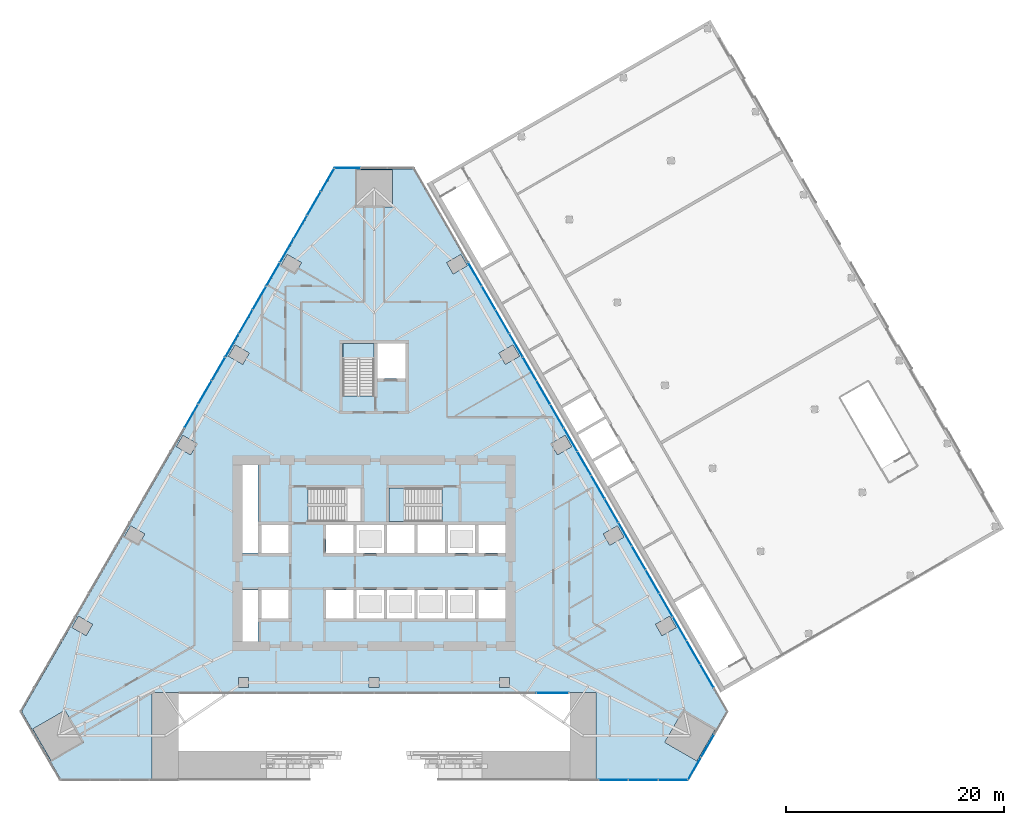
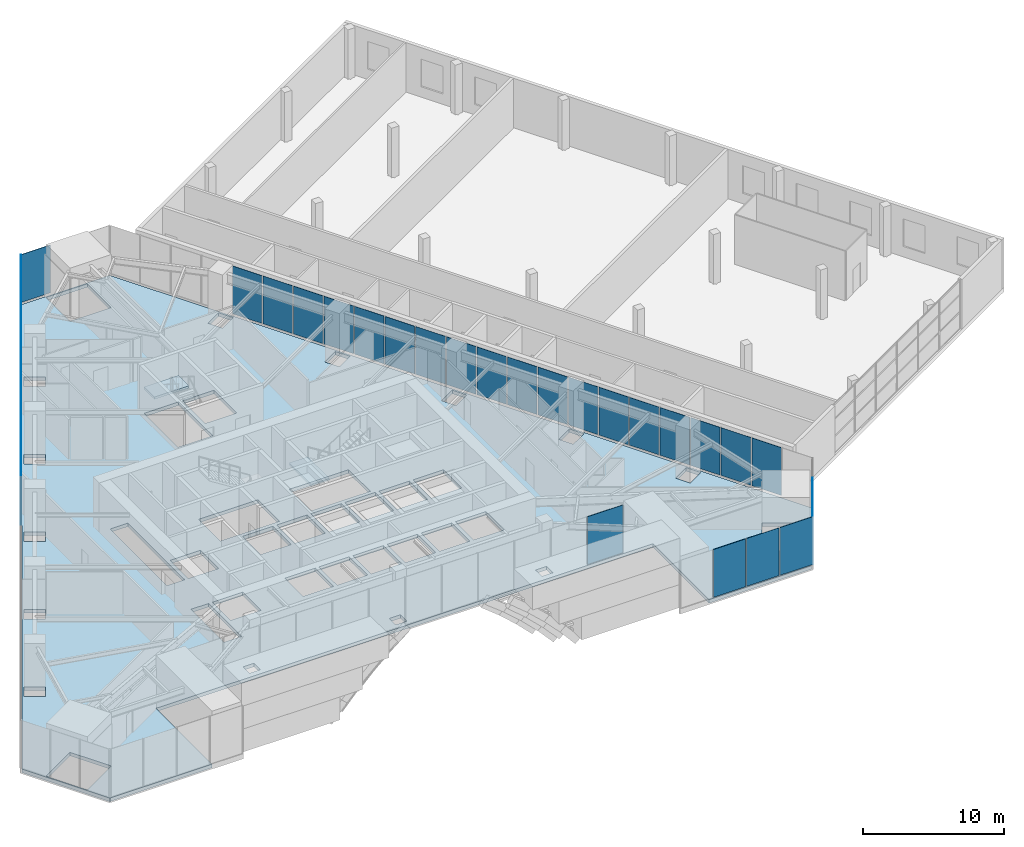
# One storey, part 14 of 23: 36 plates, 3 slabs, 8 elements without a shape of their own.
"""IFC4 building model written with IfcOpenShell, lengths in metres."""

from ifc_helpers import new_model, si_unit, direction, frame, origin, place, context, subcontext, project, spatial, polyline, outline, extrude, material, layer, layer_set, type_object, element, aggregate, save


model = new_model("IFC4")

# Units and contexts
model_context = context("Model", 3, precision=1e-05, world=origin(), true_north=direction((0.0, 1.0)))
body_context = subcontext(model_context, "Body", "Model", "MODEL_VIEW")
ifc_project = project(units=[si_unit("LENGTHUNIT", "METRE"), si_unit("AREAUNIT", "SQUARE_METRE"), si_unit("VOLUMEUNIT", "CUBIC_METRE"), si_unit("PLANEANGLEUNIT", "RADIAN"), si_unit("MASSUNIT", "GRAM", prefix="KILO")], contexts=[model_context])

# Site, building, storey
site_placement = place(None, origin())
site = spatial("IfcSite", under=ifc_project, at=site_placement, CompositionType="ELEMENT")
building_placement = place(site_placement, origin())
building = spatial("IfcBuilding", under=site, at=building_placement, Name="Firuza Gate Tower and Library", CompositionType="ELEMENT")
storey_placement = place(building_placement, frame((0.0, 0.0, 21.800048828125)))
storey = spatial("IfcBuildingStorey", under=building, at=storey_placement, Name="L04", CompositionType="ELEMENT", Elevation=21.800048828125)

# Curtain wall, plate
ifc_material_1 = material(Name="Aluminium 6063-T6", Category="aluminium")
ifc_layer_1 = layer(ifc_material_1, 0.14990234375)
ifc_layer_set_1 = layer_set([ifc_layer_1], Name="Stick curtain wall, gate lobby")
curtain_wall_type_1 = type_object("IfcCurtainWallType", Name="Stick curtain wall, gate lobby", PredefinedType="NOTDEFINED", material=ifc_layer_set_1)
placement_1 = place(storey_placement, origin())
curtain_wall_1 = element("IfcCurtainWall", 1, at=placement_1, inside=storey, type_object=curtain_wall_type_1, Name="CW7 L04 gate lobby", PredefinedType="NOTDEFINED")
ifc_material_2 = material(Name="Fritted glass", Category="glass")
ifc_layer_2 = layer(ifc_material_2, 0.030029296875)
ifc_layer_set_2 = layer_set([ifc_layer_2], Name="Clear glass unit, podium")
plate_type = type_object("IfcPlateType", Name="Clear glass unit, podium", PredefinedType="CURTAIN_PANEL", material=ifc_layer_set_2)
plate_1_placement = place(storey_placement, frame((89.9775390625, 62.12548828125, 0.14990234375), z_axis=(0.0, -1.0, 0.0), x_axis=(1.0, 0.0, 0.0)))
plate_1 = element("IfcPlate", 2, at=plate_1_placement, type_object=plate_type, Name="Glass unit", PredefinedType="CURTAIN_PANEL", context=body_context, shape_type="SweptSolid", body=[
    extrude(outline(polyline([(0.0, 0.0), (2.907470703125, 0.0), (2.907470703125, 4.150146484375), (0.0, 4.150146484375), (0.0, 0.0)])), origin(), (0.0, 0.0, -1.0), 0.030029296875),
])
aggregate(curtain_wall_1, [plate_1])

# Curtain wall, plates
ifc_material_3 = material(Name="Aluminium 6063-T6", Category="aluminium")
ifc_layer_3 = layer(ifc_material_3, 0.14990234375)
ifc_layer_set_3 = layer_set([ifc_layer_3], Name="Stick curtain wall, podium")
curtain_wall_type_2 = type_object("IfcCurtainWallType", Name="Stick curtain wall, podium", PredefinedType="NOTDEFINED", material=ifc_layer_set_3)
curtain_wall_2 = element("IfcCurtainWall", 3, at=placement_1, inside=storey, type_object=curtain_wall_type_2, Name="CW5 L04 S", PredefinedType="NOTDEFINED")
plate_2_placement = place(storey_placement, frame((95.694580078125, 54.12548828125, 0.14990234375), z_axis=(0.0, -1.0, 0.0), x_axis=(1.0, 0.0, 0.0)))
plate_2 = element("IfcPlate", 4, at=plate_2_placement, type_object=plate_type, Name="Glass unit", PredefinedType="CURTAIN_PANEL", context=body_context, shape_type="SweptSolid", body=[
    extrude(outline(polyline([(0.0, 0.0), (2.649658203125, 0.0), (2.649658203125, 4.150146484375), (0.0, 4.150146484375), (0.0, 0.0)])), origin(), (0.0, 0.0, -1.0), 0.030029296875),
])
plate_3_placement = place(storey_placement, frame((98.424072265625, 54.12548828125, 0.14990234375), z_axis=(0.0, -1.0, 0.0), x_axis=(1.0, 0.0, 0.0)))
plate_3 = element("IfcPlate", 5, at=plate_3_placement, type_object=plate_type, Name="Glass unit", PredefinedType="CURTAIN_PANEL", context=body_context, shape_type="SweptSolid", body=[
    extrude(outline(polyline([(0.0, 0.0), (2.649658203125, 0.0), (2.649658203125, 4.150146484375), (0.0, 4.150146484375), (0.0, 0.0)])), origin(), (0.0, 0.0, -1.0), 0.030029296875),
])
plate_4_placement = place(storey_placement, frame((101.15380859375, 54.12548828125, 0.14990234375), z_axis=(0.0, -1.0, 0.0), x_axis=(1.0, 0.0, 0.0)))
plate_4 = element("IfcPlate", 6, at=plate_4_placement, type_object=plate_type, Name="Glass unit", PredefinedType="CURTAIN_PANEL", context=body_context, shape_type="SweptSolid", body=[
    extrude(outline(polyline([(0.0, 0.0), (2.6494140625, 0.0), (2.6494140625, 4.150146484375), (0.0, 4.150146484375), (0.0, 0.0)])), origin(), (0.0, 0.0, -1.0), 0.030029296875),
])
aggregate(curtain_wall_2, [plate_2, plate_3, plate_4])

curtain_wall_3 = element("IfcCurtainWall", 7, at=placement_1, inside=storey, type_object=curtain_wall_type_2, Name="CW5 L04 SE", PredefinedType="NOTDEFINED")
plate_5_placement = place(storey_placement, frame((103.876220703125, 54.16748046875, 0.14990234375), z_axis=(0.866002109674, -0.500040344412, 0.0), x_axis=(0.500040344412, 0.866002109674, 0.0)))
plate_5 = element("IfcPlate", 8, at=plate_5_placement, type_object=plate_type, Name="Glass unit", PredefinedType="CURTAIN_PANEL", context=body_context, shape_type="SweptSolid", body=[
    extrude(outline(polyline([(0.0, 0.0), (2.348931561223719, 0.0), (2.348931561223719, 4.150146484375), (0.0, 4.150146484375), (0.0, 0.0)])), origin(), (0.0, 0.0, -1.0), 0.030029296875),
])
plate_6_placement = place(storey_placement, frame((105.0908203125, 56.27099609375, 0.14990234375), z_axis=(0.866047116916, -0.499962389866, 0.0), x_axis=(0.499962389866, 0.866047116916, 0.0)))
plate_6 = element("IfcPlate", 9, at=plate_6_placement, type_object=plate_type, Name="Glass unit", PredefinedType="CURTAIN_PANEL", context=body_context, shape_type="SweptSolid", body=[
    extrude(outline(polyline([(0.0, 0.0), (2.3488094905771977, 0.0), (2.3488094905771977, 4.150146484375001), (0.0, 4.150146484375001), (0.0, 0.0)])), origin(), (0.0, 0.0, -1.0), 0.030029296875),
])
aggregate(curtain_wall_3, [plate_5, plate_6])

curtain_wall_4 = element("IfcCurtainWall", 10, at=placement_1, inside=storey, type_object=curtain_wall_type_2, Name="CW5 L04 E", PredefinedType="NOTDEFINED")
plate_7_placement = place(storey_placement, frame((106.2255859375, 62.6650390625, 0.14990234375), z_axis=(0.866013120021, 0.500021275498, 0.0), x_axis=(-0.500021275498, 0.866013120021, 0.0)))
plate_7 = element("IfcPlate", 11, at=plate_7_placement, type_object=plate_type, Name="Glass unit", PredefinedType="CURTAIN_PANEL", context=body_context, shape_type="SweptSolid", body=[
    extrude(outline(polyline([(0.0, 0.0), (2.428119337352694, 0.0), (2.428119337352694, 4.150146484374999), (0.0, 4.150146484374999), (0.0, 0.0)])), origin(), (0.0, 0.0, -1.0), 0.030029296875),
])
plate_8_placement = place(storey_placement, frame((104.971435546875, 64.837158203125, 0.14990234375), z_axis=(0.866013120021, 0.500021275498, 0.0), x_axis=(-0.500021275498, 0.866013120021, 0.0)))
plate_8 = element("IfcPlate", 12, at=plate_8_placement, type_object=plate_type, Name="Glass unit", PredefinedType="CURTAIN_PANEL", context=body_context, shape_type="SweptSolid", body=[
    extrude(outline(polyline([(0.0, 0.0), (2.428119337352694, 0.0), (2.428119337352694, 4.150146484374999), (0.0, 4.150146484374999), (0.0, 0.0)])), origin(), (0.0, 0.0, -1.0), 0.030029296875),
])
plate_9_placement = place(storey_placement, frame((103.717529296875, 67.00927734375, 0.14990234375), z_axis=(0.866013120021, 0.500021275498, 0.0), x_axis=(-0.500021275498, 0.866013120021, 0.0)))
plate_9 = element("IfcPlate", 13, at=plate_9_placement, type_object=plate_type, Name="Glass unit", PredefinedType="CURTAIN_PANEL", context=body_context, shape_type="SweptSolid", body=[
    extrude(outline(polyline([(0.0, 0.0), (2.428119337352694, 0.0), (2.428119337352694, 4.150146484374999), (0.0, 4.150146484374999), (0.0, 0.0)])), origin(), (0.0, 0.0, -1.0), 0.030029296875),
])
plate_10_placement = place(storey_placement, frame((102.46337890625, 69.18115234375, 0.14990234375), z_axis=(0.86603825568, 0.499977739203, 0.0), x_axis=(-0.499977739203, 0.86603825568, 0.0)))
plate_10 = element("IfcPlate", 14, at=plate_10_placement, type_object=plate_type, Name="Glass unit", PredefinedType="CURTAIN_PANEL", context=body_context, shape_type="SweptSolid", body=[
    extrude(outline(polyline([(0.0, 0.0), (2.428330769405526, 0.0), (2.428330769405526, 4.150146484375), (0.0, 4.150146484375), (0.0, 0.0)])), origin(), (0.0, 0.0, -1.0), 0.030029296875),
])
plate_11_placement = place(storey_placement, frame((101.209228515625, 71.353271484375, 0.14990234375), z_axis=(0.866056658381, 0.499945861543, 0.0), x_axis=(-0.499945861543, 0.866056658381, 0.0)))
plate_11 = element("IfcPlate", 15, at=plate_11_placement, type_object=plate_type, Name="Glass unit", PredefinedType="CURTAIN_PANEL", context=body_context, shape_type="SweptSolid", body=[
    extrude(outline(polyline([(0.0, 0.0), (2.4279972710515545, 0.0), (2.4279972710515545, 4.150146484375), (0.0, 4.150146484375), (0.0, 0.0)])), origin(), (0.0, 0.0, -1.0), 0.030029296875),
])
plate_12_placement = place(storey_placement, frame((99.955322265625, 73.525390625, 0.14990234375), z_axis=(0.866013120021, 0.500021275498, 0.0), x_axis=(-0.500021275498, 0.866013120021, 0.0)))
plate_12 = element("IfcPlate", 16, at=plate_12_placement, type_object=plate_type, Name="Glass unit", PredefinedType="CURTAIN_PANEL", context=body_context, shape_type="SweptSolid", body=[
    extrude(outline(polyline([(0.0, 0.0), (2.428119337352694, 0.0), (2.428119337352694, 4.150146484374999), (0.0, 4.150146484374999), (0.0, 0.0)])), origin(), (0.0, 0.0, -1.0), 0.030029296875),
])
plate_13_placement = place(storey_placement, frame((98.701171875, 75.697509765625, 0.14990234375), z_axis=(0.866013120021, 0.500021275498, 0.0), x_axis=(-0.500021275498, 0.866013120021, 0.0)))
plate_13 = element("IfcPlate", 17, at=plate_13_placement, type_object=plate_type, Name="Glass unit", PredefinedType="CURTAIN_PANEL", context=body_context, shape_type="SweptSolid", body=[
    extrude(outline(polyline([(0.0, 0.0), (2.428119337352694, 0.0), (2.428119337352694, 4.150146484374999), (0.0, 4.150146484374999), (0.0, 0.0)])), origin(), (0.0, 0.0, -1.0), 0.030029296875),
])
plate_14_placement = place(storey_placement, frame((97.447021484375, 77.86962890625, 0.14990234375), z_axis=(0.866056658381, 0.499945861543, 0.0), x_axis=(-0.499945861543, 0.866056658381, 0.0)))
plate_14 = element("IfcPlate", 18, at=plate_14_placement, type_object=plate_type, Name="Glass unit", PredefinedType="CURTAIN_PANEL", context=body_context, shape_type="SweptSolid", body=[
    extrude(outline(polyline([(0.0, 0.0), (2.4279972710515545, 0.0), (2.4279972710515545, 4.150146484375), (0.0, 4.150146484375), (0.0, 0.0)])), origin(), (0.0, 0.0, -1.0), 0.030029296875),
])
plate_15_placement = place(storey_placement, frame((96.193115234375, 80.041748046875, 0.14990234375), z_axis=(0.866013120021, 0.500021275498, 0.0), x_axis=(-0.500021275498, 0.866013120021, 0.0)))
plate_15 = element("IfcPlate", 19, at=plate_15_placement, type_object=plate_type, Name="Glass unit", PredefinedType="CURTAIN_PANEL", context=body_context, shape_type="SweptSolid", body=[
    extrude(outline(polyline([(0.0, 0.0), (2.428119337352694, 0.0), (2.428119337352694, 4.150146484374999), (0.0, 4.150146484374999), (0.0, 0.0)])), origin(), (0.0, 0.0, -1.0), 0.030029296875),
])
plate_16_placement = place(storey_placement, frame((94.93896484375, 82.2138671875, 0.14990234375), z_axis=(0.866013120021, 0.500021275498, 0.0), x_axis=(-0.500021275498, 0.866013120021, 0.0)))
plate_16 = element("IfcPlate", 20, at=plate_16_placement, type_object=plate_type, Name="Glass unit", PredefinedType="CURTAIN_PANEL", context=body_context, shape_type="SweptSolid", body=[
    extrude(outline(polyline([(0.0, 0.0), (2.428119337352694, 0.0), (2.428119337352694, 4.150146484374999), (0.0, 4.150146484374999), (0.0, 0.0)])), origin(), (0.0, 0.0, -1.0), 0.030029296875),
])
plate_17_placement = place(storey_placement, frame((93.68505859375, 84.385986328125, 0.14990234375), z_axis=(0.866013120021, 0.500021275498, 0.0), x_axis=(-0.500021275498, 0.866013120021, 0.0)))
plate_17 = element("IfcPlate", 21, at=plate_17_placement, type_object=plate_type, Name="Glass unit", PredefinedType="CURTAIN_PANEL", context=body_context, shape_type="SweptSolid", body=[
    extrude(outline(polyline([(0.0, 0.0), (2.428119337352694, 0.0), (2.428119337352694, 4.150146484374999), (0.0, 4.150146484374999), (0.0, 0.0)])), origin(), (0.0, 0.0, -1.0), 0.030029296875),
])
plate_18_placement = place(storey_placement, frame((92.430908203125, 86.55810546875, 0.14990234375), z_axis=(0.866013120021, 0.500021275498, 0.0), x_axis=(-0.500021275498, 0.866013120021, 0.0)))
plate_18 = element("IfcPlate", 22, at=plate_18_placement, type_object=plate_type, Name="Glass unit", PredefinedType="CURTAIN_PANEL", context=body_context, shape_type="SweptSolid", body=[
    extrude(outline(polyline([(0.0, 0.0), (2.428119337352694, 0.0), (2.428119337352694, 4.150146484374999), (0.0, 4.150146484374999), (0.0, 0.0)])), origin(), (0.0, 0.0, -1.0), 0.030029296875),
])
plate_19_placement = place(storey_placement, frame((91.1767578125, 88.72998046875, 0.14990234375), z_axis=(0.866081787721, 0.499902327438, 0.0), x_axis=(-0.499902327438, 0.866081787721, 0.0)))
plate_19 = element("IfcPlate", 23, at=plate_19_placement, type_object=plate_type, Name="Glass unit", PredefinedType="CURTAIN_PANEL", context=body_context, shape_type="SweptSolid", body=[
    extrude(outline(polyline([(0.0, 0.0), (2.428208713733097, 0.0), (2.428208713733097, 4.150146484375), (0.0, 4.150146484375), (0.0, 0.0)])), origin(), (0.0, 0.0, -1.0), 0.030029296875),
])
plate_20_placement = place(storey_placement, frame((89.9228515625, 90.902099609375, 0.14990234375), z_axis=(0.866013120021, 0.500021275498, 0.0), x_axis=(-0.500021275498, 0.866013120021, 0.0)))
plate_20 = element("IfcPlate", 24, at=plate_20_placement, type_object=plate_type, Name="Glass unit", PredefinedType="CURTAIN_PANEL", context=body_context, shape_type="SweptSolid", body=[
    extrude(outline(polyline([(0.0, 0.0), (2.428119337352694, 0.0), (2.428119337352694, 4.150146484374999), (0.0, 4.150146484374999), (0.0, 0.0)])), origin(), (0.0, 0.0, -1.0), 0.030029296875),
])
plate_21_placement = place(storey_placement, frame((88.668701171875, 93.07421875, 0.14990234375), z_axis=(0.866013120021, 0.500021275498, 0.0), x_axis=(-0.500021275498, 0.866013120021, 0.0)))
plate_21 = element("IfcPlate", 25, at=plate_21_placement, type_object=plate_type, Name="Glass unit", PredefinedType="CURTAIN_PANEL", context=body_context, shape_type="SweptSolid", body=[
    extrude(outline(polyline([(0.0, 0.0), (2.428119337352694, 0.0), (2.428119337352694, 4.150146484374999), (0.0, 4.150146484374999), (0.0, 0.0)])), origin(), (0.0, 0.0, -1.0), 0.030029296875),
])
plate_22_placement = place(storey_placement, frame((87.414794921875, 95.246337890625, 0.14990234375), z_axis=(0.866013120021, 0.500021275498, 0.0), x_axis=(-0.500021275498, 0.866013120021, 0.0)))
plate_22 = element("IfcPlate", 26, at=plate_22_placement, type_object=plate_type, Name="Glass unit", PredefinedType="CURTAIN_PANEL", context=body_context, shape_type="SweptSolid", body=[
    extrude(outline(polyline([(0.0, 0.0), (2.428119337352694, 0.0), (2.428119337352694, 4.150146484374999), (0.0, 4.150146484374999), (0.0, 0.0)])), origin(), (0.0, 0.0, -1.0), 0.030029296875),
])
plate_23_placement = place(storey_placement, frame((86.16064453125, 97.41845703125, 0.14990234375), z_axis=(0.866013120021, 0.500021275498, 0.0), x_axis=(-0.500021275498, 0.866013120021, 0.0)))
plate_23 = element("IfcPlate", 27, at=plate_23_placement, type_object=plate_type, Name="Glass unit", PredefinedType="CURTAIN_PANEL", context=body_context, shape_type="SweptSolid", body=[
    extrude(outline(polyline([(0.0, 0.0), (2.428119337352694, 0.0), (2.428119337352694, 4.150146484374999), (0.0, 4.150146484374999), (0.0, 0.0)])), origin(), (0.0, 0.0, -1.0), 0.030029296875),
])
plate_24_placement = place(storey_placement, frame((84.906494140625, 99.590576171875, 0.14990234375), z_axis=(0.866056658381, 0.499945861543, 0.0), x_axis=(-0.499945861543, 0.866056658381, 0.0)))
plate_24 = element("IfcPlate", 28, at=plate_24_placement, type_object=plate_type, Name="Glass unit", PredefinedType="CURTAIN_PANEL", context=body_context, shape_type="SweptSolid", body=[
    extrude(outline(polyline([(0.0, 0.0), (2.4279972710515545, 0.0), (2.4279972710515545, 4.150146484375), (0.0, 4.150146484375), (0.0, 0.0)])), origin(), (0.0, 0.0, -1.0), 0.030029296875),
])
aggregate(curtain_wall_4, [plate_7, plate_8, plate_9, plate_10, plate_11, plate_12, plate_13, plate_14, plate_15, plate_16, plate_17, plate_18, plate_19, plate_20, plate_21, plate_22, plate_23, plate_24])

# Curtain wall, plate
curtain_wall_5 = element("IfcCurtainWall", 29, at=placement_1, inside=storey, type_object=curtain_wall_type_2, Name="CW5 L04 N", PredefinedType="NOTDEFINED")
plate_25_placement = place(storey_placement, frame((73.74560546875, 110.423828125, 0.14990234375), z_axis=(0.0, 1.0, 0.0), x_axis=(-1.0, 0.0, 0.0)))
plate_25 = element("IfcPlate", 30, at=plate_25_placement, type_object=plate_type, Name="Glass unit", PredefinedType="CURTAIN_PANEL", context=body_context, shape_type="SweptSolid", body=[
    extrude(outline(polyline([(0.0, 0.0), (2.348876953125, 0.0), (2.348876953125, 4.150146484375), (0.0, 4.150146484375), (0.0, 0.0)])), origin(), (0.0, 0.0, -1.0), 0.030029296875),
])
aggregate(curtain_wall_5, [plate_25])

# Curtain wall, plates
curtain_wall_6 = element("IfcCurtainWall", 31, at=placement_1, inside=storey, type_object=curtain_wall_type_2, Name="CW5 L04 W", PredefinedType="NOTDEFINED")
plate_26_placement = place(storey_placement, frame((71.32373046875, 110.381591796875, 0.14990234375), z_axis=(-0.866013120021, 0.500021275498, 0.0), x_axis=(-0.500021275498, -0.866013120021, 0.0)))
plate_26 = element("IfcPlate", 32, at=plate_26_placement, type_object=plate_type, Name="Glass unit", PredefinedType="CURTAIN_PANEL", context=body_context, shape_type="SweptSolid", body=[
    extrude(outline(polyline([(0.0, 0.0), (2.428119337352694, 0.0), (2.428119337352694, 4.150146484374999), (0.0, 4.150146484374999), (0.0, 0.0)])), origin(), (0.0, 0.0, -1.0), 0.030029296875),
])
plate_27_placement = place(storey_placement, frame((70.069580078125, 108.209716796875, 0.14990234375), z_axis=(-0.866081787721, 0.499902327438, 0.0), x_axis=(-0.499902327438, -0.866081787721, 0.0)))
plate_27 = element("IfcPlate", 33, at=plate_27_placement, type_object=plate_type, Name="Glass unit", PredefinedType="CURTAIN_PANEL", context=body_context, shape_type="SweptSolid", body=[
    extrude(outline(polyline([(0.0, 0.0), (2.428208713733097, 0.0), (2.428208713733097, 4.150146484375), (0.0, 4.150146484375), (0.0, 0.0)])), origin(), (0.0, 0.0, -1.0), 0.030029296875),
])
plate_28_placement = place(storey_placement, frame((68.815673828125, 106.03759765625, 0.14990234375), z_axis=(-0.866013120021, 0.500021275498, 0.0), x_axis=(-0.500021275498, -0.866013120021, 0.0)))
plate_28 = element("IfcPlate", 34, at=plate_28_placement, type_object=plate_type, Name="Glass unit", PredefinedType="CURTAIN_PANEL", context=body_context, shape_type="SweptSolid", body=[
    extrude(outline(polyline([(0.0, 0.0), (2.428119337352694, 0.0), (2.428119337352694, 4.150146484374999), (0.0, 4.150146484374999), (0.0, 0.0)])), origin(), (0.0, 0.0, -1.0), 0.030029296875),
])
plate_29_placement = place(storey_placement, frame((67.5615234375, 103.865478515625, 0.14990234375), z_axis=(-0.866013120021, 0.500021275498, 0.0), x_axis=(-0.500021275498, -0.866013120021, 0.0)))
plate_29 = element("IfcPlate", 35, at=plate_29_placement, type_object=plate_type, Name="Glass unit", PredefinedType="CURTAIN_PANEL", context=body_context, shape_type="SweptSolid", body=[
    extrude(outline(polyline([(0.0, 0.0), (2.428119337352694, 0.0), (2.428119337352694, 4.150146484374999), (0.0, 4.150146484374999), (0.0, 0.0)])), origin(), (0.0, 0.0, -1.0), 0.030029296875),
])
plate_30_placement = place(storey_placement, frame((66.307373046875, 101.693359375, 0.14990234375), z_axis=(-0.866056658381, 0.499945861543, 0.0), x_axis=(-0.499945861543, -0.866056658381, 0.0)))
plate_30 = element("IfcPlate", 36, at=plate_30_placement, type_object=plate_type, Name="Glass unit", PredefinedType="CURTAIN_PANEL", context=body_context, shape_type="SweptSolid", body=[
    extrude(outline(polyline([(0.0, 0.0), (2.4279972710515545, 0.0), (2.4279972710515545, 4.150146484375), (0.0, 4.150146484375), (0.0, 0.0)])), origin(), (0.0, 0.0, -1.0), 0.030029296875),
])
plate_31_placement = place(storey_placement, frame((65.053466796875, 99.521240234375, 0.14990234375), z_axis=(-0.866013120021, 0.500021275498, 0.0), x_axis=(-0.500021275498, -0.866013120021, 0.0)))
plate_31 = element("IfcPlate", 37, at=plate_31_placement, type_object=plate_type, Name="Glass unit", PredefinedType="CURTAIN_PANEL", context=body_context, shape_type="SweptSolid", body=[
    extrude(outline(polyline([(0.0, 0.0), (2.428119337352694, 0.0), (2.428119337352694, 4.150146484374999), (0.0, 4.150146484374999), (0.0, 0.0)])), origin(), (0.0, 0.0, -1.0), 0.030029296875),
])
plate_32_placement = place(storey_placement, frame((63.79931640625, 97.34912109375, 0.14990234375), z_axis=(-0.866013120021, 0.500021275498, 0.0), x_axis=(-0.500021275498, -0.866013120021, 0.0)))
plate_32 = element("IfcPlate", 38, at=plate_32_placement, type_object=plate_type, Name="Glass unit", PredefinedType="CURTAIN_PANEL", context=body_context, shape_type="SweptSolid", body=[
    extrude(outline(polyline([(0.0, 0.0), (2.428119337352694, 0.0), (2.428119337352694, 4.150146484374999), (0.0, 4.150146484374999), (0.0, 0.0)])), origin(), (0.0, 0.0, -1.0), 0.030029296875),
])
plate_33_placement = place(storey_placement, frame((62.54541015625, 95.177001953125, 0.14990234375), z_axis=(-0.866013120021, 0.500021275498, 0.0), x_axis=(-0.500021275498, -0.866013120021, 0.0)))
plate_33 = element("IfcPlate", 39, at=plate_33_placement, type_object=plate_type, Name="Glass unit", PredefinedType="CURTAIN_PANEL", context=body_context, shape_type="SweptSolid", body=[
    extrude(outline(polyline([(0.0, 0.0), (2.428119337352694, 0.0), (2.428119337352694, 4.150146484374999), (0.0, 4.150146484374999), (0.0, 0.0)])), origin(), (0.0, 0.0, -1.0), 0.030029296875),
])
plate_34_placement = place(storey_placement, frame((61.291259765625, 93.0048828125, 0.14990234375), z_axis=(-0.866013120021, 0.500021275498, 0.0), x_axis=(-0.500021275498, -0.866013120021, 0.0)))
plate_34 = element("IfcPlate", 40, at=plate_34_placement, type_object=plate_type, Name="Glass unit", PredefinedType="CURTAIN_PANEL", context=body_context, shape_type="SweptSolid", body=[
    extrude(outline(polyline([(0.0, 0.0), (2.428119337352694, 0.0), (2.428119337352694, 4.150146484374999), (0.0, 4.150146484374999), (0.0, 0.0)])), origin(), (0.0, 0.0, -1.0), 0.030029296875),
])
plate_35_placement = place(storey_placement, frame((60.037109375, 90.8330078125, 0.14990234375), z_axis=(-0.866081787721, 0.499902327438, 0.0), x_axis=(-0.499902327438, -0.866081787721, 0.0)))
plate_35 = element("IfcPlate", 41, at=plate_35_placement, type_object=plate_type, Name="Glass unit", PredefinedType="CURTAIN_PANEL", context=body_context, shape_type="SweptSolid", body=[
    extrude(outline(polyline([(0.0, 0.0), (2.428208713733097, 0.0), (2.428208713733097, 4.150146484375), (0.0, 4.150146484375), (0.0, 0.0)])), origin(), (0.0, 0.0, -1.0), 0.030029296875),
])
plate_36_placement = place(storey_placement, frame((58.783203125, 88.660888671875, 0.14990234375), z_axis=(-0.866013120021, 0.500021275498, 0.0), x_axis=(-0.500021275498, -0.866013120021, 0.0)))
plate_36 = element("IfcPlate", 42, at=plate_36_placement, type_object=plate_type, Name="Glass unit", PredefinedType="CURTAIN_PANEL", context=body_context, shape_type="SweptSolid", body=[
    extrude(outline(polyline([(0.0, 0.0), (2.428119337352694, 0.0), (2.428119337352694, 4.150146484374999), (0.0, 4.150146484374999), (0.0, 0.0)])), origin(), (0.0, 0.0, -1.0), 0.030029296875),
])
aggregate(curtain_wall_6, [plate_26, plate_27, plate_28, plate_29, plate_30, plate_31, plate_32, plate_33, plate_34, plate_35, plate_36])

# Slab
ifc_material_4 = material(Name="Concrete C40/50", Category="concrete")
ifc_layer_4 = layer(ifc_material_4, 0.300048828125)
ifc_layer_set_4 = layer_set([ifc_layer_4], Name="Composite floor slab 300 C40/50")
slab_type_1 = type_object("IfcSlabType", Name="Composite floor slab 300 C40/50", PredefinedType="FLOOR", material=ifc_layer_set_4)
slab_1_placement = place(storey_placement, frame((0.0, 0.0, -0.300048828125)))
element("IfcSlab", 43, at=slab_1_placement, inside=storey, type_object=slab_type_1, Name="Floor slab L04", PredefinedType="FLOOR", context=body_context, shape_type="SweptSolid", body=[
    extrude(outline(polyline([(46.199951171875, 54.21533203125), (54.60009765625, 54.21533203125), (54.60009765625, 62.21533203125), (57.0, 62.21533203125), (93.0, 62.21533203125), (95.39990234375, 62.21533203125), (95.39990234375, 54.21533203125), (103.800048828125, 54.21533203125), (107.39990234375, 60.45068359375), (78.60009765625, 110.333740234375), (71.39990234375, 110.333740234375), (42.60009765625, 60.45068359375), (46.199951171875, 54.21533203125)]), holes=[polyline([(43.63671875, 58.855224609375), (46.5810546875, 60.555419921875), (48.281005859375, 57.61083984375), (45.336669921875, 55.910888671875), (43.63671875, 58.855224609375)]), polyline([(74.550048828125, 62.665283203125), (74.550048828125, 63.5654296875), (75.449951171875, 63.5654296875), (75.449951171875, 62.665283203125), (74.550048828125, 62.665283203125)]), polyline([(62.550048828125, 62.665283203125), (62.550048828125, 63.5654296875), (63.449951171875, 63.5654296875), (63.449951171875, 62.665283203125), (62.550048828125, 62.665283203125)]), polyline([(47.829833984375, 69.209228515625), (49.12890625, 68.459228515625), (48.529052734375, 67.419921875), (47.22998046875, 68.169921875), (47.829833984375, 69.209228515625)]), polyline([(64.35009765625, 66.89990234375), (62.89990234375, 66.89990234375), (62.89990234375, 71.60009765625), (64.35009765625, 71.60009765625), (64.35009765625, 66.89990234375)]), polyline([(67.14990234375, 69.0), (64.64990234375, 69.0), (64.64990234375, 71.60009765625), (67.14990234375, 71.60009765625), (67.14990234375, 69.0)]), polyline([(70.60009765625, 69.0), (70.60009765625, 71.60009765625), (73.10009765625, 71.60009765625), (73.10009765625, 69.0), (70.60009765625, 69.0)]), polyline([(73.39990234375, 69.0), (73.39990234375, 71.60009765625), (75.89990234375, 71.60009765625), (75.89990234375, 69.0), (73.39990234375, 69.0)]), polyline([(67.14990234375, 75.0), (64.64990234375, 75.0), (64.64990234375, 77.60009765625), (67.14990234375, 77.60009765625), (67.14990234375, 75.0)]), polyline([(73.10009765625, 75.0), (70.60009765625, 75.0), (70.60009765625, 77.60009765625), (73.10009765625, 77.60009765625), (73.10009765625, 75.0)]), polyline([(75.89990234375, 75.0), (73.39990234375, 75.0), (73.39990234375, 77.60009765625), (75.89990234375, 77.60009765625), (75.89990234375, 75.0)]), polyline([(53.928955078125, 76.773193359375), (53.328857421875, 75.73388671875), (52.02978515625, 76.48388671875), (52.6298828125, 77.523193359375), (53.928955078125, 76.773193359375)]), polyline([(62.89990234375, 75.0), (62.89990234375, 83.10009765625), (64.35009765625, 83.10009765625), (64.35009765625, 75.0), (62.89990234375, 75.0)]), polyline([(73.81005859375, 77.89990234375), (68.9404296875, 77.89990234375), (68.9404296875, 80.97998046875), (73.81005859375, 80.97998046875), (73.81005859375, 77.89990234375)]), polyline([(57.429931640625, 85.8369140625), (58.72900390625, 85.0869140625), (58.12890625, 84.047607421875), (56.829833984375, 84.797607421875), (57.429931640625, 85.8369140625)]), polyline([(72.159912109375, 89.470458984375), (72.159912109375, 94.300048828125), (75.0, 94.300048828125), (75.0, 89.470458984375), (72.159912109375, 89.470458984375)]), polyline([(63.529052734375, 93.40087890625), (62.928955078125, 92.361572265625), (61.6298828125, 93.111572265625), (62.22998046875, 94.15087890625), (63.529052734375, 93.40087890625)]), polyline([(68.328857421875, 101.714599609375), (67.72900390625, 100.67529296875), (66.429931640625, 101.42529296875), (67.02978515625, 102.464599609375), (68.328857421875, 101.714599609375)]), polyline([(104.663330078125, 55.910888671875), (101.718994140625, 57.61083984375), (103.4189453125, 60.555419921875), (106.36328125, 58.855224609375), (104.663330078125, 55.910888671875)]), polyline([(86.550048828125, 62.665283203125), (86.550048828125, 63.5654296875), (87.449951171875, 63.5654296875), (87.449951171875, 62.665283203125), (86.550048828125, 62.665283203125)]), polyline([(102.77001953125, 68.169921875), (101.470947265625, 67.419921875), (100.87109375, 68.459228515625), (102.170166015625, 69.209228515625), (102.77001953125, 68.169921875)]), polyline([(84.300048828125, 69.0), (81.800048828125, 69.0), (81.800048828125, 71.60009765625), (84.300048828125, 71.60009765625), (84.300048828125, 69.0)]), polyline([(87.10009765625, 69.0), (84.60009765625, 69.0), (84.60009765625, 71.60009765625), (87.10009765625, 71.60009765625), (87.10009765625, 69.0)]), polyline([(81.5, 69.0), (79.0, 69.0), (79.0, 71.60009765625), (81.5, 71.60009765625), (81.5, 69.0)]), polyline([(76.199951171875, 69.0), (76.199951171875, 71.60009765625), (78.699951171875, 71.60009765625), (78.699951171875, 69.0), (76.199951171875, 69.0)]), polyline([(81.800048828125, 75.0), (81.800048828125, 77.60009765625), (84.300048828125, 77.60009765625), (84.300048828125, 75.0), (81.800048828125, 75.0)]), polyline([(81.5, 75.0), (79.0, 75.0), (79.0, 77.60009765625), (81.5, 77.60009765625), (81.5, 75.0)]), polyline([(87.10009765625, 75.0), (84.60009765625, 75.0), (84.60009765625, 77.60009765625), (87.10009765625, 77.60009765625), (87.10009765625, 75.0)]), polyline([(78.699951171875, 75.0), (76.199951171875, 75.0), (76.199951171875, 77.60009765625), (78.699951171875, 77.60009765625), (78.699951171875, 75.0)]), polyline([(96.671142578125, 75.73388671875), (96.071044921875, 76.773193359375), (97.3701171875, 77.523193359375), (97.97021484375, 76.48388671875), (96.671142578125, 75.73388671875)]), polyline([(76.389892578125, 77.89990234375), (76.389892578125, 80.97998046875), (81.259521484375, 80.97998046875), (81.259521484375, 77.89990234375), (76.389892578125, 77.89990234375)]), polyline([(93.170166015625, 84.797607421875), (91.87109375, 84.047607421875), (91.27099609375, 85.0869140625), (92.570068359375, 85.8369140625), (93.170166015625, 84.797607421875)]), polyline([(77.89990234375, 91.050048828125), (75.300048828125, 91.050048828125), (75.300048828125, 94.300048828125), (77.89990234375, 94.300048828125), (77.89990234375, 91.050048828125)]), polyline([(88.3701171875, 93.111572265625), (87.071044921875, 92.361572265625), (86.470947265625, 93.40087890625), (87.77001953125, 94.15087890625), (88.3701171875, 93.111572265625)]), polyline([(82.27099609375, 100.67529296875), (81.671142578125, 101.714599609375), (82.97021484375, 102.464599609375), (83.570068359375, 101.42529296875), (82.27099609375, 100.67529296875)]), polyline([(76.699951171875, 106.833740234375), (73.300048828125, 106.833740234375), (73.300048828125, 110.23388671875), (76.699951171875, 110.23388671875), (76.699951171875, 106.833740234375)])]), origin(), (0.0, 0.0, 1.0), 0.300048828125),
])

# Stair, slab
ifc_material_5 = material(Name="Concrete C35/45", Category="concrete")
stair_type_1 = type_object("IfcStairType", Name="Exit stair ST4", PredefinedType="HALF_TURN_STAIR", material=ifc_material_5)
stair_1 = element("IfcStair", 44, at=placement_1, inside=storey, type_object=stair_type_1, Name="L04 Stair ST2", PredefinedType="HALF_TURN_STAIR")
ifc_material_6 = material(Name="Concrete C35/45", Category="concrete")
ifc_layer_5 = layer(ifc_material_6, 0.199951171875)
ifc_layer_set_5 = layer_set([ifc_layer_5], Name="Stair landing 200")
slab_type_2 = type_object("IfcSlabType", Name="Stair landing 200", PredefinedType="LANDING", material=ifc_layer_set_5)
placement_2 = place(storey_placement, frame((0.0, 0.0, 2.099853515625)))
slab_2 = element("IfcSlab", 45, at=placement_2, type_object=slab_type_2, Name="ST2 landing 1", PredefinedType="LANDING", context=body_context, shape_type="SweptSolid", body=[
    extrude(outline(polyline([(77.89990234375, 80.97998046875), (76.389892578125, 80.97998046875), (76.389892578125, 77.89990234375), (77.89990234375, 77.89990234375), (77.89990234375, 80.97998046875)])), origin(), (0.0, 0.0, 1.0), 0.2001953125),
])
aggregate(stair_1, [slab_2])

ifc_material_7 = material(Name="Concrete C35/45", Category="concrete")
stair_type_2 = type_object("IfcStairType", Name="Exit stair ST13", PredefinedType="HALF_TURN_STAIR", material=ifc_material_7)
stair_2 = element("IfcStair", 46, at=placement_1, inside=storey, type_object=stair_type_2, Name="L04 Stair ST3", PredefinedType="HALF_TURN_STAIR")
slab_3 = element("IfcSlab", 47, at=placement_2, type_object=slab_type_2, Name="ST3 landing 1", PredefinedType="LANDING", context=body_context, shape_type="SweptSolid", body=[
    extrude(outline(polyline([(75.0, 92.830078125), (75.0, 94.300048828125), (72.159912109375, 94.300048828125), (72.159912109375, 92.830078125), (75.0, 92.830078125)])), origin(), (0.0, 0.0, 1.0), 0.2001953125),
])
aggregate(stair_2, [slab_3])

save(model, "model.ifc")
